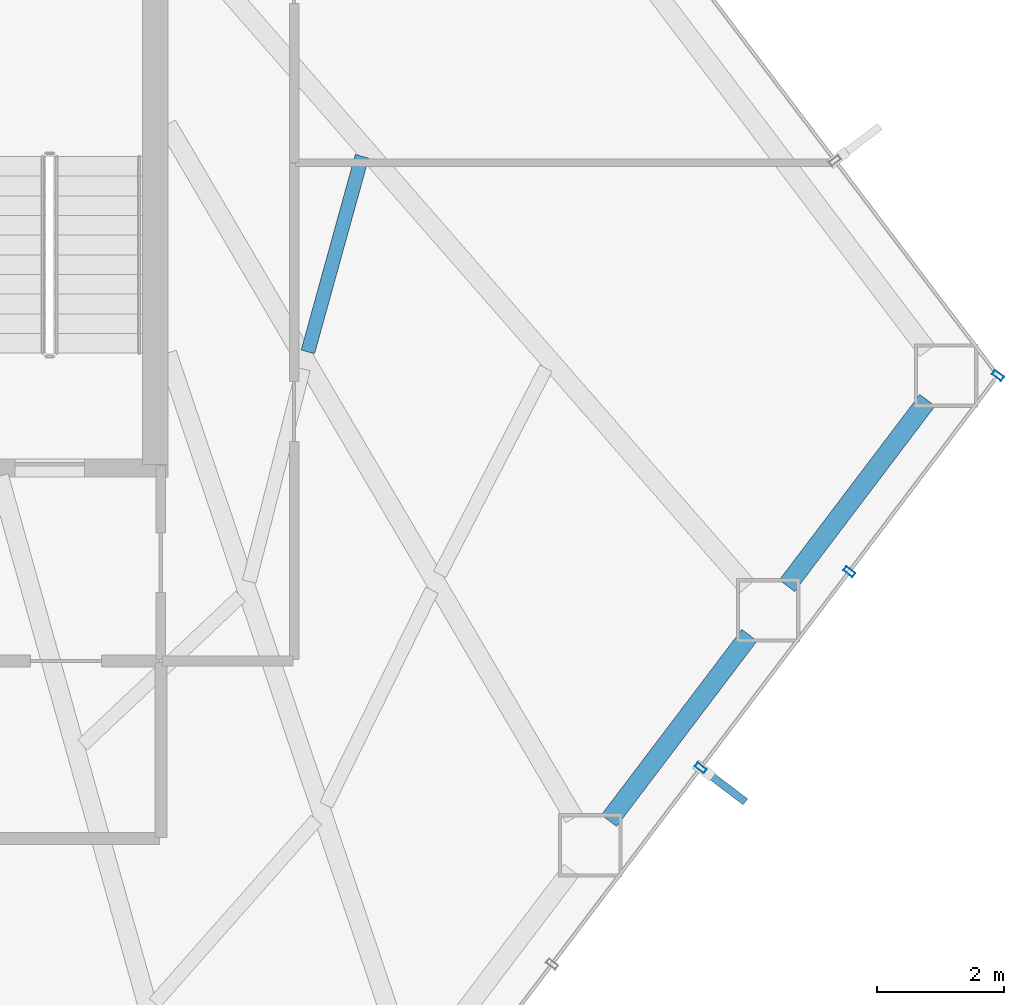
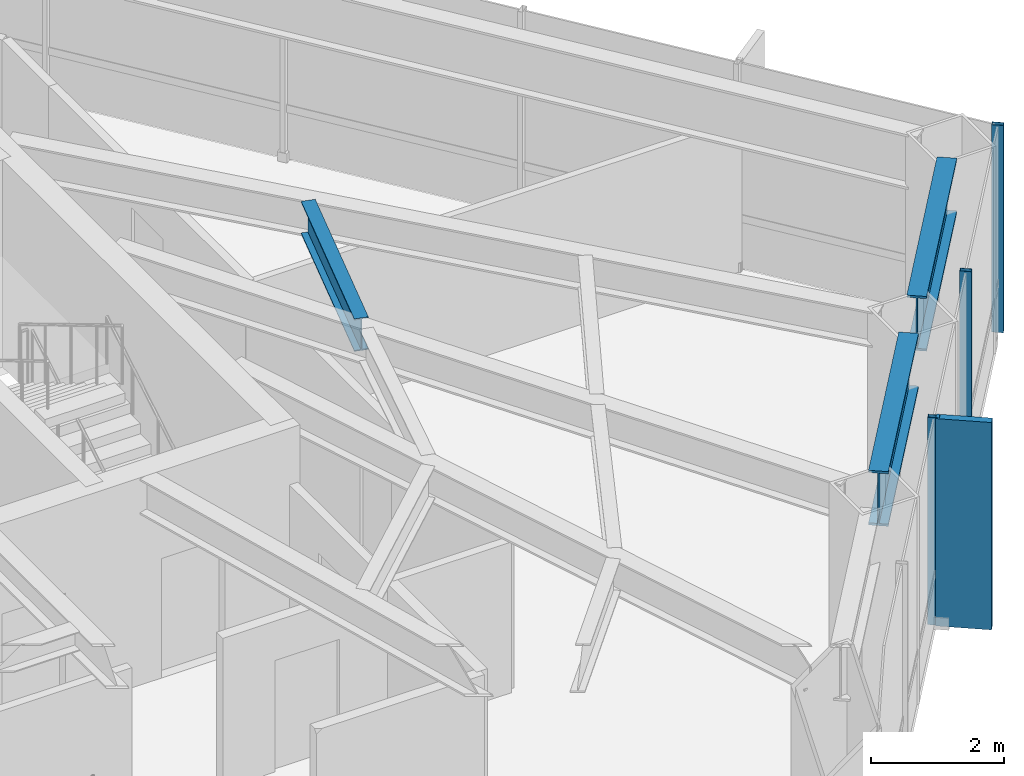
# One storey, part 19 of 26: 4 members, 3 beams, 1 element without a shape of its own.
"""IFC4 building model written with IfcOpenShell, lengths in metres."""

from ifc_helpers import new_model, si_unit, direction, frame, origin, origin_2d, place, context, subcontext, project, spatial, rectangle, hollow_rectangle, i_section, extrude, material, layer, layer_set, material_profile, profile_set, type_object, element, aggregate, save


model = new_model("IFC4")

# Units and contexts
model_context = context("Model", 3, precision=1e-05, world=origin(), true_north=direction((0.0, 1.0)))
body_context = subcontext(model_context, "Body", "Model", "MODEL_VIEW")
ifc_project = project(units=[si_unit("LENGTHUNIT", "METRE"), si_unit("AREAUNIT", "SQUARE_METRE"), si_unit("VOLUMEUNIT", "CUBIC_METRE"), si_unit("PLANEANGLEUNIT", "RADIAN"), si_unit("MASSUNIT", "GRAM", prefix="KILO")], contexts=[model_context])

# Site, building, storey
site_placement = place(None, origin())
site = spatial("IfcSite", under=ifc_project, at=site_placement, CompositionType="ELEMENT")
building_placement = place(site_placement, origin())
building = spatial("IfcBuilding", under=site, at=building_placement, Name="Zarrinselat Tower", CompositionType="ELEMENT")
storey_placement = place(building_placement, frame((0.0, 0.0, 27.5400390625)))
storey = spatial("IfcBuildingStorey", under=building, at=storey_placement, Name="L06", CompositionType="ELEMENT", Elevation=27.5400390625)

# Beams
ifc_material_1 = material(Name="Steel S460M", Category="steel")
ifc_material_profile_1 = material_profile(ifc_material_1, i_section(OverallWidth=0.302001953125, OverallDepth=1.008056640625, WebThickness=0.02099609375, FlangeThickness=0.0400390625, at=origin_2d()), Name="HEM 1000")
ifc_profile_set_1 = profile_set([ifc_material_profile_1], Name="Steel S460M")
beam_type_1 = type_object("IfcBeamType", Name="BM-HEM1000", PredefinedType="BEAM", material=ifc_profile_set_1)
for number, where, z_axis, x_axis, name in (
    (1, (55.411865234375, 27.63330078125, 3.31591796875), (0.603869220808, 0.797083411043, 0.0), (-0.797083411043, 0.603869220808, 0.0), "L06 Perimeter Spandrel Girder SP13"),
    (2, (58.21630859375, 31.335205078125, 3.31591796875), (0.603869220808, 0.797083411043, 0.0), (-0.797083411043, 0.603869220808, 0.0), "L06 Perimeter Spandrel Girder SP14"),
):
    element("IfcBeam", number, at=place(storey_placement, frame(where, z_axis=z_axis, x_axis=x_axis)), inside=storey, type_object=beam_type_1, Name=name, PredefinedType="BEAM", context=body_context, shape_type="SweptSolid", body=[
        extrude(i_section(OverallWidth=0.302001953125, OverallDepth=1.008056640625, WebThickness=0.02099609375, FlangeThickness=0.0400390625, at=origin_2d()), origin(), (0.0, 0.0, 1.0), 3.668212890625),
    ])
ifc_material_2 = material(Name="Steel S355J2", Category="steel")
ifc_material_profile_2 = material_profile(ifc_material_2, i_section(OverallWidth=0.219970703125, OverallDepth=0.60009765625, WebThickness=0.011962890625, FlangeThickness=0.01904296875, at=origin_2d()), Name="IPE 600")
ifc_profile_set_2 = profile_set([ifc_material_profile_2], Name="Steel S355J2")
beam_type_2 = type_object("IfcBeamType", Name="BM-IPE600", PredefinedType="JOIST", material=ifc_profile_set_2)
beam_placement = place(storey_placement, frame((50.667724609375, 35.021240234375, 3.52001953125), z_axis=(0.266726369268, 0.963772298801, 0.0), x_axis=(-0.963772298801, 0.266726369268, 0.0)))
element("IfcBeam", 3, at=beam_placement, inside=storey, type_object=beam_type_2, Name="L06 Composite Floor Joist 6-2", PredefinedType="JOIST", context=body_context, shape_type="SweptSolid", body=[
    extrude(i_section(OverallWidth=0.219970703125, OverallDepth=0.60009765625, WebThickness=0.011962890625, FlangeThickness=0.01904296875, at=origin_2d()), origin(), (0.0, 0.0, 1.0), 3.1982421875),
])

# Curtain wall, members
ifc_material_3 = material(Name="Extruded Aluminium Alloy EN AW-6063 T6", Category="aluminium")
ifc_layer = layer(ifc_material_3, 0.18505859375)
ifc_layer_set = layer_set([ifc_layer], Name="Extruded Aluminium Alloy EN AW-6063 T6")
curtain_wall_type = type_object("IfcCurtainWallType", Name="CWS-OFF", PredefinedType="NOTDEFINED", material=ifc_layer_set)
curtain_wall_placement = place(storey_placement, origin())
curtain_wall = element("IfcCurtainWall", 4, at=curtain_wall_placement, inside=storey, type_object=curtain_wall_type, Name="L06 Unitised Curtain Wall CW-L06-E05", PredefinedType="NOTDEFINED")
ifc_material_4 = material(Name="Extruded Aluminium Alloy EN AW-6063 T6", Category="aluminium")
ifc_material_profile_3 = material_profile(ifc_material_4, hollow_rectangle(XDim=0.080078125, YDim=0.179931640625, WallThickness=0.0048828125, at=origin_2d()), Name="RHS 180x80x5")
ifc_profile_set_3 = profile_set([ifc_material_profile_3], Name="Extruded Aluminium Alloy EN AW-6063 T6")
member_type_1 = type_object("IfcMemberType", Name="MEM-CW-MUL", PredefinedType="MULLION", material=ifc_profile_set_3)
member_1_placement = place(storey_placement, frame((56.857421875, 28.465087890625, 0.0), z_axis=(0.0, 0.0, 1.0), x_axis=(0.603858382963, 0.797091621663, 0.0)))
member_1 = element("IfcMember", 5, at=member_1_placement, type_object=member_type_1, Name="CW-L06-E05 Mullion 3", PredefinedType="MULLION", context=body_context, shape_type="SweptSolid", body=[
    extrude(hollow_rectangle(XDim=0.080078125, YDim=0.179931640625, WallThickness=0.0048828125, at=origin_2d()), origin(), (0.0, 0.0, 1.0), 3.820068359375),
])
member_2_placement = place(storey_placement, frame((59.19970703125, 31.556640625, 0.0), z_axis=(0.0, 0.0, 1.0), x_axis=(0.603858382963, 0.797091621663, 0.0)))
member_2 = element("IfcMember", 6, at=member_2_placement, type_object=member_type_1, Name="CW-L06-E05 Mullion 4", PredefinedType="MULLION", context=body_context, shape_type="SweptSolid", body=[
    extrude(hollow_rectangle(XDim=0.080078125, YDim=0.179931640625, WallThickness=0.0048828125, at=origin_2d()), origin(), (0.0, 0.0, 1.0), 3.820068359375),
])
member_3_placement = place(storey_placement, frame((61.541748046875, 34.648193359375, 0.0), z_axis=(0.0, 0.0, 1.0), x_axis=(0.603858382963, 0.797091621663, 0.0)))
member_3 = element("IfcMember", 7, at=member_3_placement, type_object=member_type_1, Name="CW-L06-E05 Mullion 5", PredefinedType="MULLION", context=body_context, shape_type="SweptSolid", body=[
    extrude(hollow_rectangle(XDim=0.080078125, YDim=0.179931640625, WallThickness=0.0048828125, at=origin_2d()), origin(), (0.0, 0.0, 1.0), 3.820068359375),
])
ifc_material_5 = material(Name="Honed Cream Travertine Stone", Category="masonry")
ifc_material_profile_4 = material_profile(ifc_material_5, rectangle(XDim=0.1201171875, YDim=0.85009765625, at=origin_2d()), Name="FIN 850x120")
ifc_profile_set_4 = profile_set([ifc_material_profile_4], Name="Honed Cream Travertine Stone")
member_type_2 = type_object("IfcMemberType", Name="MEM-STONE-FIN", PredefinedType="USERDEFINED", material=ifc_profile_set_4)
member_4_placement = place(storey_placement, frame((57.22412109375, 28.187255859375, 0.0), z_axis=(0.0, 0.0, 1.0), x_axis=(-0.603858382963, -0.797091621663, 0.0)))
member_4 = element("IfcMember", 8, at=member_4_placement, type_object=member_type_2, Name="L06 Stone Shading Fin CW-L06-E05-03", ObjectType="FIN", PredefinedType="USERDEFINED", context=body_context, shape_type="SweptSolid", body=[
    extrude(rectangle(XDim=0.1201171875, YDim=0.85009765625, at=origin_2d()), origin(), (0.0, 0.0, 1.0), 3.820068359375),
])
aggregate(curtain_wall, [member_1, member_4, member_2, member_3])

save(model, "model.ifc")
